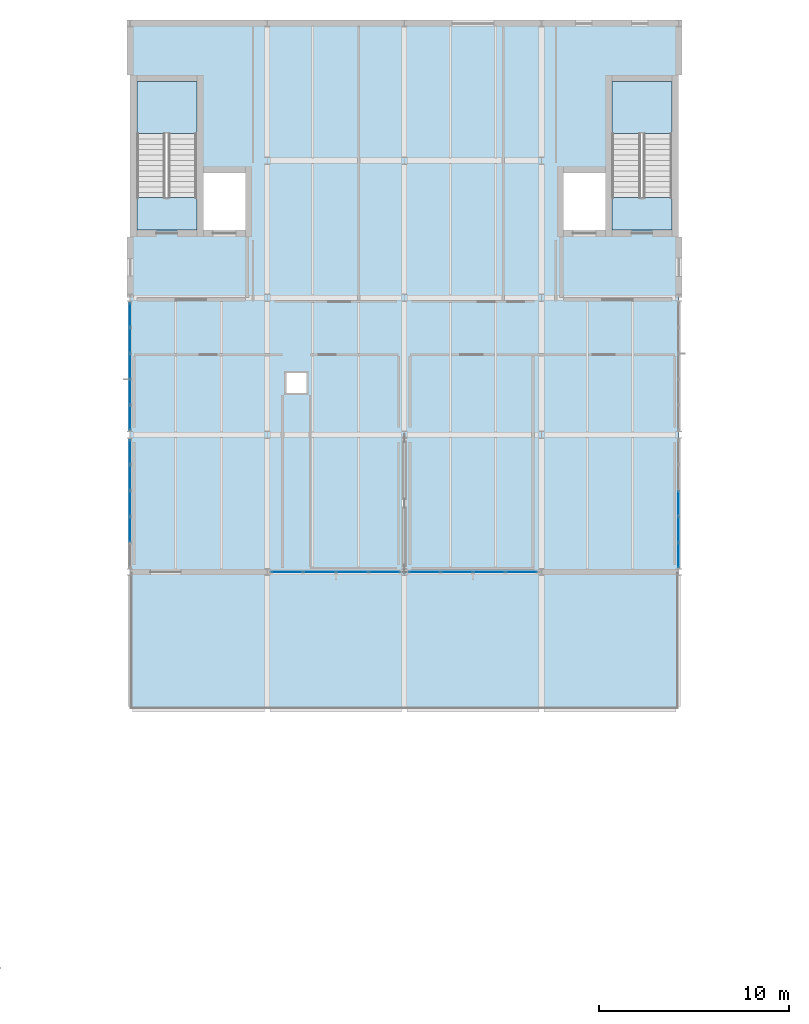
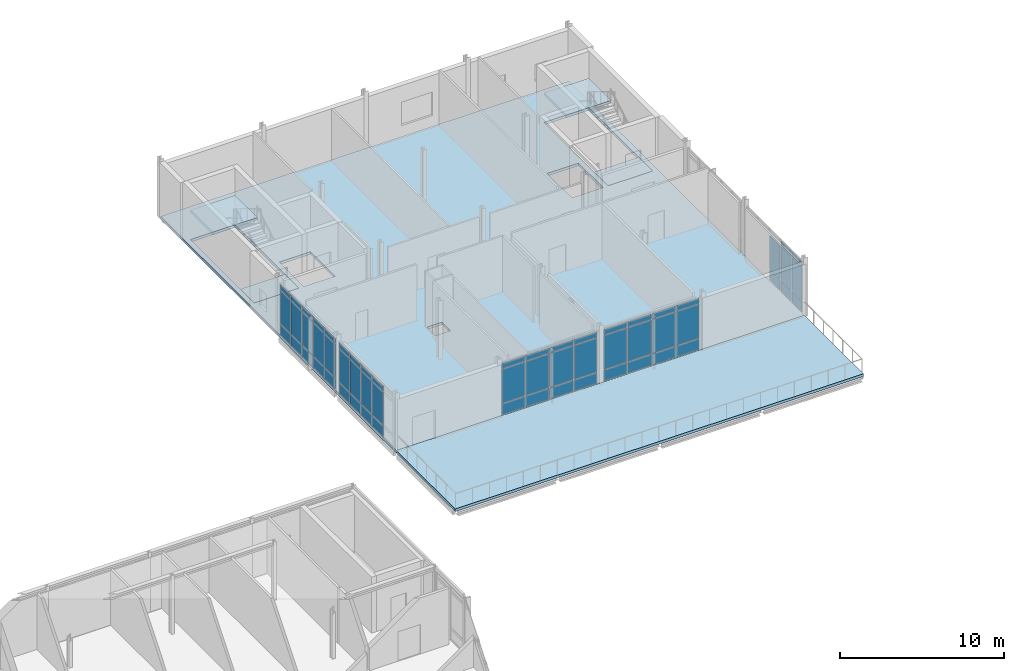
# One storey, part 27 of 53: 59 plates, 6 slabs, 7 elements without a shape of their own.
"""IFC4 building model written with IfcOpenShell, lengths in metres."""

from ifc_helpers import new_model, si_unit, direction, frame, origin, origin_2d, place, context, subcontext, project, spatial, polyline, rectangle, outline, extrude, material, layer, layer_set, type_object, element, aggregate, save


model = new_model("IFC4")

# Units and contexts
model_context = context("Model", 3, precision=1e-05, world=origin(), true_north=direction((0.0, 1.0)))
body_context = subcontext(model_context, "Body", "Model", "MODEL_VIEW")
ifc_project = project(units=[si_unit("LENGTHUNIT", "METRE"), si_unit("AREAUNIT", "SQUARE_METRE"), si_unit("VOLUMEUNIT", "CUBIC_METRE"), si_unit("PLANEANGLEUNIT", "RADIAN"), si_unit("MASSUNIT", "GRAM", prefix="KILO")], contexts=[model_context])

# Site, building, storey
site_placement = place(None, origin())
site = spatial("IfcSite", under=ifc_project, at=site_placement, CompositionType="ELEMENT")
building_placement = place(site_placement, origin())
building = spatial("IfcBuilding", under=site, at=building_placement, Name="Zarrinpeak Specialist Clinic", CompositionType="ELEMENT")
storey_placement = place(building_placement, frame((0.0, 0.0, 14.0)))
storey = spatial("IfcBuildingStorey", under=building, at=storey_placement, Name="L03", CompositionType="ELEMENT", Elevation=14.0)

# Curtain wall, plates
ifc_material_1 = material(Name="Anodised Aluminium Alloy 6063-T6", Category="aluminium")
ifc_layer_1 = layer(ifc_material_1, 0.179931640625)
ifc_layer_set_1 = layer_set([ifc_layer_1], Name="Anodised Aluminium Alloy 6063-T6")
curtain_wall_type_1 = type_object("IfcCurtainWallType", Name="CW-COURT", PredefinedType="NOTDEFINED", material=ifc_layer_set_1)
curtain_wall_1_placement = place(storey_placement, origin())
curtain_wall_1 = element("IfcCurtainWall", 1, at=curtain_wall_1_placement, inside=storey, type_object=curtain_wall_type_1, Name="L03 V6 Unitised Curtain Wall CW-L03-V6-147", PredefinedType="NOTDEFINED")
ifc_material_2 = material(Name="Double Low-E Insulated Glazing", Category="glass")
ifc_layer_2 = layer(ifc_material_2, 0.028076171875)
ifc_layer_set_2 = layer_set([ifc_layer_2], Name="Double Low-E Insulated Glazing")
plate_type = type_object("IfcPlateType", Name="CWP-GLZ28", PredefinedType="CURTAIN_PANEL", material=ifc_layer_set_2)
plate_1_placement = place(storey_placement, frame((44.25, 89.199951171875, 0.074951171875), z_axis=(0.0, 0.0, 1.0), x_axis=(1.0, 0.0, 0.0)))
plate_1 = element("IfcPlate", 2, at=plate_1_placement, type_object=plate_type, Name="CW-01 panel 1.1", PredefinedType="CURTAIN_PANEL", context=body_context, shape_type="SweptSolid", body=[
    extrude(rectangle(XDim=1.60009765625, YDim=0.028076171875, at=origin_2d()), origin(), (0.0, 0.0, 1.0), 0.78759765625),
])
plate_2_placement = place(storey_placement, frame((44.25, 89.199951171875, 0.9375), z_axis=(0.0, 0.0, 1.0), x_axis=(1.0, 0.0, 0.0)))
plate_2 = element("IfcPlate", 3, at=plate_2_placement, type_object=plate_type, Name="CW-01 panel 1.2", PredefinedType="CURTAIN_PANEL", context=body_context, shape_type="SweptSolid", body=[
    extrude(rectangle(XDim=1.60009765625, YDim=0.028076171875, at=origin_2d()), origin(), (0.0, 0.0, 1.0), 2.510009765625),
])
plate_3_placement = place(storey_placement, frame((44.25, 89.199951171875, 3.5224609375), z_axis=(0.0, 0.0, 1.0), x_axis=(1.0, 0.0, 0.0)))
plate_3 = element("IfcPlate", 4, at=plate_3_placement, type_object=plate_type, Name="CW-01 panel 1.3", PredefinedType="CURTAIN_PANEL", context=body_context, shape_type="SweptSolid", body=[
    extrude(rectangle(XDim=1.60009765625, YDim=0.028076171875, at=origin_2d()), origin(), (0.0, 0.0, 1.0), 0.33740234375),
])
plate_4_placement = place(storey_placement, frame((45.94384765625, 89.199951171875, 0.074951171875), z_axis=(0.0, 0.0, 1.0), x_axis=(1.0, 0.0, 0.0)))
plate_4 = element("IfcPlate", 5, at=plate_4_placement, type_object=plate_type, Name="CW-01 panel 2.1", PredefinedType="CURTAIN_PANEL", context=body_context, shape_type="SweptSolid", body=[
    extrude(rectangle(XDim=1.637451171875, YDim=0.028076171875, at=origin_2d()), origin(), (0.0, 0.0, 1.0), 0.78759765625),
])
plate_5_placement = place(storey_placement, frame((45.94384765625, 89.199951171875, 0.9375), z_axis=(0.0, 0.0, 1.0), x_axis=(1.0, 0.0, 0.0)))
plate_5 = element("IfcPlate", 6, at=plate_5_placement, type_object=plate_type, Name="CW-01 panel 2.2", PredefinedType="CURTAIN_PANEL", context=body_context, shape_type="SweptSolid", body=[
    extrude(rectangle(XDim=1.637451171875, YDim=0.028076171875, at=origin_2d()), origin(), (0.0, 0.0, 1.0), 2.510009765625),
])
plate_6_placement = place(storey_placement, frame((45.94384765625, 89.199951171875, 3.5224609375), z_axis=(0.0, 0.0, 1.0), x_axis=(1.0, 0.0, 0.0)))
plate_6 = element("IfcPlate", 7, at=plate_6_placement, type_object=plate_type, Name="CW-01 panel 2.3", PredefinedType="CURTAIN_PANEL", context=body_context, shape_type="SweptSolid", body=[
    extrude(rectangle(XDim=1.637451171875, YDim=0.028076171875, at=origin_2d()), origin(), (0.0, 0.0, 1.0), 0.33740234375),
])
plate_7_placement = place(storey_placement, frame((47.65625, 89.199951171875, 0.074951171875), z_axis=(0.0, 0.0, 1.0), x_axis=(1.0, 0.0, 0.0)))
plate_7 = element("IfcPlate", 8, at=plate_7_placement, type_object=plate_type, Name="CW-01 panel 3.1", PredefinedType="CURTAIN_PANEL", context=body_context, shape_type="SweptSolid", body=[
    extrude(rectangle(XDim=1.637451171875, YDim=0.028076171875, at=origin_2d()), origin(), (0.0, 0.0, 1.0), 0.78759765625),
])
plate_8_placement = place(storey_placement, frame((47.65625, 89.199951171875, 0.9375), z_axis=(0.0, 0.0, 1.0), x_axis=(1.0, 0.0, 0.0)))
plate_8 = element("IfcPlate", 9, at=plate_8_placement, type_object=plate_type, Name="CW-01 panel 3.2", PredefinedType="CURTAIN_PANEL", context=body_context, shape_type="SweptSolid", body=[
    extrude(rectangle(XDim=1.637451171875, YDim=0.028076171875, at=origin_2d()), origin(), (0.0, 0.0, 1.0), 2.510009765625),
])
plate_9_placement = place(storey_placement, frame((47.65625, 89.199951171875, 3.5224609375), z_axis=(0.0, 0.0, 1.0), x_axis=(1.0, 0.0, 0.0)))
plate_9 = element("IfcPlate", 10, at=plate_9_placement, type_object=plate_type, Name="CW-01 panel 3.3", PredefinedType="CURTAIN_PANEL", context=body_context, shape_type="SweptSolid", body=[
    extrude(rectangle(XDim=1.637451171875, YDim=0.028076171875, at=origin_2d()), origin(), (0.0, 0.0, 1.0), 0.33740234375),
])
plate_10_placement = place(storey_placement, frame((49.35009765625, 89.199951171875, 0.074951171875), z_axis=(0.0, 0.0, 1.0), x_axis=(1.0, 0.0, 0.0)))
plate_10 = element("IfcPlate", 11, at=plate_10_placement, type_object=plate_type, Name="CW-01 panel 4.1", PredefinedType="CURTAIN_PANEL", context=body_context, shape_type="SweptSolid", body=[
    extrude(rectangle(XDim=1.60009765625, YDim=0.028076171875, at=origin_2d()), origin(), (0.0, 0.0, 1.0), 0.78759765625),
])
plate_11_placement = place(storey_placement, frame((49.35009765625, 89.199951171875, 0.9375), z_axis=(0.0, 0.0, 1.0), x_axis=(1.0, 0.0, 0.0)))
plate_11 = element("IfcPlate", 12, at=plate_11_placement, type_object=plate_type, Name="CW-01 panel 4.2", PredefinedType="CURTAIN_PANEL", context=body_context, shape_type="SweptSolid", body=[
    extrude(rectangle(XDim=1.60009765625, YDim=0.028076171875, at=origin_2d()), origin(), (0.0, 0.0, 1.0), 2.510009765625),
])
plate_12_placement = place(storey_placement, frame((49.35009765625, 89.199951171875, 3.5224609375), z_axis=(0.0, 0.0, 1.0), x_axis=(1.0, 0.0, 0.0)))
plate_12 = element("IfcPlate", 13, at=plate_12_placement, type_object=plate_type, Name="CW-01 panel 4.3", PredefinedType="CURTAIN_PANEL", context=body_context, shape_type="SweptSolid", body=[
    extrude(rectangle(XDim=1.60009765625, YDim=0.028076171875, at=origin_2d()), origin(), (0.0, 0.0, 1.0), 0.33740234375),
])
aggregate(curtain_wall_1, [plate_1, plate_2, plate_3, plate_4, plate_5, plate_6, plate_7, plate_8, plate_9, plate_10, plate_11, plate_12])

curtain_wall_2_placement = place(storey_placement, origin())
curtain_wall_2 = element("IfcCurtainWall", 14, at=curtain_wall_2_placement, inside=storey, type_object=curtain_wall_type_1, Name="L03 V6 Unitised Curtain Wall CW-L03-V6-148", PredefinedType="NOTDEFINED")
plate_13_placement = place(storey_placement, frame((51.449951171875, 89.199951171875, 0.074951171875), z_axis=(0.0, 0.0, 1.0), x_axis=(1.0, 0.0, 0.0)))
plate_13 = element("IfcPlate", 15, at=plate_13_placement, type_object=plate_type, Name="CW-01 panel 1.1", PredefinedType="CURTAIN_PANEL", context=body_context, shape_type="SweptSolid", body=[
    extrude(rectangle(XDim=1.60009765625, YDim=0.028076171875, at=origin_2d()), origin(), (0.0, 0.0, 1.0), 0.78759765625),
])
plate_14_placement = place(storey_placement, frame((51.449951171875, 89.199951171875, 0.9375), z_axis=(0.0, 0.0, 1.0), x_axis=(1.0, 0.0, 0.0)))
plate_14 = element("IfcPlate", 16, at=plate_14_placement, type_object=plate_type, Name="CW-01 panel 1.2", PredefinedType="CURTAIN_PANEL", context=body_context, shape_type="SweptSolid", body=[
    extrude(rectangle(XDim=1.60009765625, YDim=0.028076171875, at=origin_2d()), origin(), (0.0, 0.0, 1.0), 2.510009765625),
])
plate_15_placement = place(storey_placement, frame((51.449951171875, 89.199951171875, 3.5224609375), z_axis=(0.0, 0.0, 1.0), x_axis=(1.0, 0.0, 0.0)))
plate_15 = element("IfcPlate", 17, at=plate_15_placement, type_object=plate_type, Name="CW-01 panel 1.3", PredefinedType="CURTAIN_PANEL", context=body_context, shape_type="SweptSolid", body=[
    extrude(rectangle(XDim=1.60009765625, YDim=0.028076171875, at=origin_2d()), origin(), (0.0, 0.0, 1.0), 0.33740234375),
])
plate_16_placement = place(storey_placement, frame((53.143798828125, 89.199951171875, 0.074951171875), z_axis=(0.0, 0.0, 1.0), x_axis=(1.0, 0.0, 0.0)))
plate_16 = element("IfcPlate", 18, at=plate_16_placement, type_object=plate_type, Name="CW-01 panel 2.1", PredefinedType="CURTAIN_PANEL", context=body_context, shape_type="SweptSolid", body=[
    extrude(rectangle(XDim=1.637451171875, YDim=0.028076171875, at=origin_2d()), origin(), (0.0, 0.0, 1.0), 0.78759765625),
])
plate_17_placement = place(storey_placement, frame((53.143798828125, 89.199951171875, 0.9375), z_axis=(0.0, 0.0, 1.0), x_axis=(1.0, 0.0, 0.0)))
plate_17 = element("IfcPlate", 19, at=plate_17_placement, type_object=plate_type, Name="CW-01 panel 2.2", PredefinedType="CURTAIN_PANEL", context=body_context, shape_type="SweptSolid", body=[
    extrude(rectangle(XDim=1.637451171875, YDim=0.028076171875, at=origin_2d()), origin(), (0.0, 0.0, 1.0), 2.510009765625),
])
plate_18_placement = place(storey_placement, frame((53.143798828125, 89.199951171875, 3.5224609375), z_axis=(0.0, 0.0, 1.0), x_axis=(1.0, 0.0, 0.0)))
plate_18 = element("IfcPlate", 20, at=plate_18_placement, type_object=plate_type, Name="CW-01 panel 2.3", PredefinedType="CURTAIN_PANEL", context=body_context, shape_type="SweptSolid", body=[
    extrude(rectangle(XDim=1.637451171875, YDim=0.028076171875, at=origin_2d()), origin(), (0.0, 0.0, 1.0), 0.33740234375),
])
plate_19_placement = place(storey_placement, frame((54.856201171875, 89.199951171875, 0.074951171875), z_axis=(0.0, 0.0, 1.0), x_axis=(1.0, 0.0, 0.0)))
plate_19 = element("IfcPlate", 21, at=plate_19_placement, type_object=plate_type, Name="CW-01 panel 3.1", PredefinedType="CURTAIN_PANEL", context=body_context, shape_type="SweptSolid", body=[
    extrude(rectangle(XDim=1.637451171875, YDim=0.028076171875, at=origin_2d()), origin(), (0.0, 0.0, 1.0), 0.78759765625),
])
plate_20_placement = place(storey_placement, frame((54.856201171875, 89.199951171875, 0.9375), z_axis=(0.0, 0.0, 1.0), x_axis=(1.0, 0.0, 0.0)))
plate_20 = element("IfcPlate", 22, at=plate_20_placement, type_object=plate_type, Name="CW-01 panel 3.2", PredefinedType="CURTAIN_PANEL", context=body_context, shape_type="SweptSolid", body=[
    extrude(rectangle(XDim=1.637451171875, YDim=0.028076171875, at=origin_2d()), origin(), (0.0, 0.0, 1.0), 2.510009765625),
])
plate_21_placement = place(storey_placement, frame((54.856201171875, 89.199951171875, 3.5224609375), z_axis=(0.0, 0.0, 1.0), x_axis=(1.0, 0.0, 0.0)))
plate_21 = element("IfcPlate", 23, at=plate_21_placement, type_object=plate_type, Name="CW-01 panel 3.3", PredefinedType="CURTAIN_PANEL", context=body_context, shape_type="SweptSolid", body=[
    extrude(rectangle(XDim=1.637451171875, YDim=0.028076171875, at=origin_2d()), origin(), (0.0, 0.0, 1.0), 0.33740234375),
])
plate_22_placement = place(storey_placement, frame((56.550048828125, 89.199951171875, 0.074951171875), z_axis=(0.0, 0.0, 1.0), x_axis=(1.0, 0.0, 0.0)))
plate_22 = element("IfcPlate", 24, at=plate_22_placement, type_object=plate_type, Name="CW-01 panel 4.1", PredefinedType="CURTAIN_PANEL", context=body_context, shape_type="SweptSolid", body=[
    extrude(rectangle(XDim=1.60009765625, YDim=0.028076171875, at=origin_2d()), origin(), (0.0, 0.0, 1.0), 0.78759765625),
])
plate_23_placement = place(storey_placement, frame((56.550048828125, 89.199951171875, 0.9375), z_axis=(0.0, 0.0, 1.0), x_axis=(1.0, 0.0, 0.0)))
plate_23 = element("IfcPlate", 25, at=plate_23_placement, type_object=plate_type, Name="CW-01 panel 4.2", PredefinedType="CURTAIN_PANEL", context=body_context, shape_type="SweptSolid", body=[
    extrude(rectangle(XDim=1.60009765625, YDim=0.028076171875, at=origin_2d()), origin(), (0.0, 0.0, 1.0), 2.510009765625),
])
plate_24_placement = place(storey_placement, frame((56.550048828125, 89.199951171875, 3.5224609375), z_axis=(0.0, 0.0, 1.0), x_axis=(1.0, 0.0, 0.0)))
plate_24 = element("IfcPlate", 26, at=plate_24_placement, type_object=plate_type, Name="CW-01 panel 4.3", PredefinedType="CURTAIN_PANEL", context=body_context, shape_type="SweptSolid", body=[
    extrude(rectangle(XDim=1.60009765625, YDim=0.028076171875, at=origin_2d()), origin(), (0.0, 0.0, 1.0), 0.33740234375),
])
aggregate(curtain_wall_2, [plate_13, plate_14, plate_15, plate_16, plate_17, plate_18, plate_19, plate_20, plate_21, plate_22, plate_23, plate_24])

ifc_layer_3 = layer(ifc_material_1, 0.1650390625)
ifc_layer_set_3 = layer_set([ifc_layer_3], Name="Anodised Aluminium Alloy 6063-T6")
curtain_wall_type_2 = type_object("IfcCurtainWallType", Name="CW-CLINIC", PredefinedType="NOTDEFINED", material=ifc_layer_set_3)
curtain_wall_3_placement = place(storey_placement, origin())
curtain_wall_3 = element("IfcCurtainWall", 27, at=curtain_wall_3_placement, inside=storey, type_object=curtain_wall_type_2, Name="L03 V6 Unitised Curtain Wall CW-L03-V6-149", PredefinedType="NOTDEFINED")
plate_25_placement = place(storey_placement, frame((36.0, 95.495361328125, 0.074951171875), z_axis=(0.0, 0.0, 1.0), x_axis=(0.0, -1.0, 0.0)))
plate_25 = element("IfcPlate", 28, at=plate_25_placement, type_object=plate_type, Name="CW-03 panel 1.1", PredefinedType="CURTAIN_PANEL", context=body_context, shape_type="SweptSolid", body=[
    extrude(rectangle(XDim=1.24951171875, YDim=0.028076171875, at=origin_2d()), origin(), (0.0, 0.0, 1.0), 0.78759765625),
])
plate_26_placement = place(storey_placement, frame((36.0, 95.495361328125, 0.9375), z_axis=(0.0, 0.0, 1.0), x_axis=(0.0, -1.0, 0.0)))
plate_26 = element("IfcPlate", 29, at=plate_26_placement, type_object=plate_type, Name="CW-03 panel 1.2", PredefinedType="CURTAIN_PANEL", context=body_context, shape_type="SweptSolid", body=[
    extrude(rectangle(XDim=1.24951171875, YDim=0.028076171875, at=origin_2d()), origin(), (0.0, 0.0, 1.0), 2.4599609375),
])
plate_27_placement = place(storey_placement, frame((36.0, 95.495361328125, 3.47265625), z_axis=(0.0, 0.0, 1.0), x_axis=(0.0, -1.0, 0.0)))
plate_27 = element("IfcPlate", 30, at=plate_27_placement, type_object=plate_type, Name="CW-03 panel 1.3", PredefinedType="CURTAIN_PANEL", context=body_context, shape_type="SweptSolid", body=[
    extrude(rectangle(XDim=1.24951171875, YDim=0.028076171875, at=origin_2d()), origin(), (0.0, 0.0, 1.0), 0.33740234375),
])
plate_28_placement = place(storey_placement, frame((36.0, 94.152099609375, 0.074951171875), z_axis=(0.0, 0.0, 1.0), x_axis=(0.0, -1.0, 0.0)))
plate_28 = element("IfcPlate", 31, at=plate_28_placement, type_object=plate_type, Name="CW-03 panel 2.1", PredefinedType="CURTAIN_PANEL", context=body_context, shape_type="SweptSolid", body=[
    extrude(rectangle(XDim=1.287109375, YDim=0.028076171875, at=origin_2d()), origin(), (0.0, 0.0, 1.0), 0.78759765625),
])
plate_29_placement = place(storey_placement, frame((36.0, 94.152099609375, 0.9375), z_axis=(0.0, 0.0, 1.0), x_axis=(0.0, -1.0, 0.0)))
plate_29 = element("IfcPlate", 32, at=plate_29_placement, type_object=plate_type, Name="CW-03 panel 2.2", PredefinedType="CURTAIN_PANEL", context=body_context, shape_type="SweptSolid", body=[
    extrude(rectangle(XDim=1.287109375, YDim=0.028076171875, at=origin_2d()), origin(), (0.0, 0.0, 1.0), 2.4599609375),
])
plate_30_placement = place(storey_placement, frame((36.0, 94.152099609375, 3.47265625), z_axis=(0.0, 0.0, 1.0), x_axis=(0.0, -1.0, 0.0)))
plate_30 = element("IfcPlate", 33, at=plate_30_placement, type_object=plate_type, Name="CW-03 panel 2.3", PredefinedType="CURTAIN_PANEL", context=body_context, shape_type="SweptSolid", body=[
    extrude(rectangle(XDim=1.287109375, YDim=0.028076171875, at=origin_2d()), origin(), (0.0, 0.0, 1.0), 0.33740234375),
])
plate_31_placement = place(storey_placement, frame((36.0, 92.7900390625, 0.074951171875), z_axis=(0.0, 0.0, 1.0), x_axis=(0.0, -1.0, 0.0)))
plate_31 = element("IfcPlate", 34, at=plate_31_placement, type_object=plate_type, Name="CW-03 panel 3.1", PredefinedType="CURTAIN_PANEL", context=body_context, shape_type="SweptSolid", body=[
    extrude(rectangle(XDim=1.287109375, YDim=0.028076171875, at=origin_2d()), origin(), (0.0, 0.0, 1.0), 0.78759765625),
])
plate_32_placement = place(storey_placement, frame((36.0, 92.7900390625, 0.9375), z_axis=(0.0, 0.0, 1.0), x_axis=(0.0, -1.0, 0.0)))
plate_32 = element("IfcPlate", 35, at=plate_32_placement, type_object=plate_type, Name="CW-03 panel 3.2", PredefinedType="CURTAIN_PANEL", context=body_context, shape_type="SweptSolid", body=[
    extrude(rectangle(XDim=1.287109375, YDim=0.028076171875, at=origin_2d()), origin(), (0.0, 0.0, 1.0), 2.4599609375),
])
plate_33_placement = place(storey_placement, frame((36.0, 92.7900390625, 3.47265625), z_axis=(0.0, 0.0, 1.0), x_axis=(0.0, -1.0, 0.0)))
plate_33 = element("IfcPlate", 36, at=plate_33_placement, type_object=plate_type, Name="CW-03 panel 3.3", PredefinedType="CURTAIN_PANEL", context=body_context, shape_type="SweptSolid", body=[
    extrude(rectangle(XDim=1.287109375, YDim=0.028076171875, at=origin_2d()), origin(), (0.0, 0.0, 1.0), 0.33740234375),
])
plate_34_placement = place(storey_placement, frame((36.0, 91.427978515625, 0.074951171875), z_axis=(0.0, 0.0, 1.0), x_axis=(0.0, -1.0, 0.0)))
plate_34 = element("IfcPlate", 37, at=plate_34_placement, type_object=plate_type, Name="CW-03 panel 4.1", PredefinedType="CURTAIN_PANEL", context=body_context, shape_type="SweptSolid", body=[
    extrude(rectangle(XDim=1.287109375, YDim=0.028076171875, at=origin_2d()), origin(), (0.0, 0.0, 1.0), 0.78759765625),
])
plate_35_placement = place(storey_placement, frame((36.0, 91.427978515625, 0.9375), z_axis=(0.0, 0.0, 1.0), x_axis=(0.0, -1.0, 0.0)))
plate_35 = element("IfcPlate", 38, at=plate_35_placement, type_object=plate_type, Name="CW-03 panel 4.2", PredefinedType="CURTAIN_PANEL", context=body_context, shape_type="SweptSolid", body=[
    extrude(rectangle(XDim=1.287109375, YDim=0.028076171875, at=origin_2d()), origin(), (0.0, 0.0, 1.0), 2.4599609375),
])
plate_36_placement = place(storey_placement, frame((36.0, 91.427978515625, 3.47265625), z_axis=(0.0, 0.0, 1.0), x_axis=(0.0, -1.0, 0.0)))
plate_36 = element("IfcPlate", 39, at=plate_36_placement, type_object=plate_type, Name="CW-03 panel 4.3", PredefinedType="CURTAIN_PANEL", context=body_context, shape_type="SweptSolid", body=[
    extrude(rectangle(XDim=1.287109375, YDim=0.028076171875, at=origin_2d()), origin(), (0.0, 0.0, 1.0), 0.33740234375),
])
aggregate(curtain_wall_3, [plate_25, plate_26, plate_27, plate_28, plate_29, plate_30, plate_31, plate_32, plate_33, plate_34, plate_35, plate_36])

curtain_wall_4_placement = place(storey_placement, origin())
curtain_wall_4 = element("IfcCurtainWall", 40, at=curtain_wall_4_placement, inside=storey, type_object=curtain_wall_type_2, Name="L03 V6 Unitised Curtain Wall CW-L03-V6-150", PredefinedType="NOTDEFINED")
plate_37_placement = place(storey_placement, frame((36.0, 102.697265625, 0.074951171875), z_axis=(0.0, 0.0, 1.0), x_axis=(0.0, -1.0, 0.0)))
plate_37 = element("IfcPlate", 41, at=plate_37_placement, type_object=plate_type, Name="CW-03 panel 1.1", PredefinedType="CURTAIN_PANEL", context=body_context, shape_type="SweptSolid", body=[
    extrude(rectangle(XDim=1.24560546875, YDim=0.028076171875, at=origin_2d()), origin(), (0.0, 0.0, 1.0), 0.78759765625),
])
plate_38_placement = place(storey_placement, frame((36.0, 102.697265625, 0.9375), z_axis=(0.0, 0.0, 1.0), x_axis=(0.0, -1.0, 0.0)))
plate_38 = element("IfcPlate", 42, at=plate_38_placement, type_object=plate_type, Name="CW-03 panel 1.2", PredefinedType="CURTAIN_PANEL", context=body_context, shape_type="SweptSolid", body=[
    extrude(rectangle(XDim=1.24560546875, YDim=0.028076171875, at=origin_2d()), origin(), (0.0, 0.0, 1.0), 2.4599609375),
])
plate_39_placement = place(storey_placement, frame((36.0, 102.697265625, 3.47265625), z_axis=(0.0, 0.0, 1.0), x_axis=(0.0, -1.0, 0.0)))
plate_39 = element("IfcPlate", 43, at=plate_39_placement, type_object=plate_type, Name="CW-03 panel 1.3", PredefinedType="CURTAIN_PANEL", context=body_context, shape_type="SweptSolid", body=[
    extrude(rectangle(XDim=1.24560546875, YDim=0.028076171875, at=origin_2d()), origin(), (0.0, 0.0, 1.0), 0.33740234375),
])
plate_40_placement = place(storey_placement, frame((36.0, 101.35791015625, 0.074951171875), z_axis=(0.0, 0.0, 1.0), x_axis=(0.0, -1.0, 0.0)))
plate_40 = element("IfcPlate", 44, at=plate_40_placement, type_object=plate_type, Name="CW-03 panel 2.1", PredefinedType="CURTAIN_PANEL", context=body_context, shape_type="SweptSolid", body=[
    extrude(rectangle(XDim=1.282958984375, YDim=0.028076171875, at=origin_2d()), origin(), (0.0, 0.0, 1.0), 0.78759765625),
])
plate_41_placement = place(storey_placement, frame((36.0, 101.35791015625, 0.9375), z_axis=(0.0, 0.0, 1.0), x_axis=(0.0, -1.0, 0.0)))
plate_41 = element("IfcPlate", 45, at=plate_41_placement, type_object=plate_type, Name="CW-03 panel 2.2", PredefinedType="CURTAIN_PANEL", context=body_context, shape_type="SweptSolid", body=[
    extrude(rectangle(XDim=1.282958984375, YDim=0.028076171875, at=origin_2d()), origin(), (0.0, 0.0, 1.0), 2.4599609375),
])
plate_42_placement = place(storey_placement, frame((36.0, 101.35791015625, 3.47265625), z_axis=(0.0, 0.0, 1.0), x_axis=(0.0, -1.0, 0.0)))
plate_42 = element("IfcPlate", 46, at=plate_42_placement, type_object=plate_type, Name="CW-03 panel 2.3", PredefinedType="CURTAIN_PANEL", context=body_context, shape_type="SweptSolid", body=[
    extrude(rectangle(XDim=1.282958984375, YDim=0.028076171875, at=origin_2d()), origin(), (0.0, 0.0, 1.0), 0.33740234375),
])
plate_43_placement = place(storey_placement, frame((36.0, 100.0, 0.074951171875), z_axis=(0.0, 0.0, 1.0), x_axis=(0.0, -1.0, 0.0)))
plate_43 = element("IfcPlate", 47, at=plate_43_placement, type_object=plate_type, Name="CW-03 panel 3.1", PredefinedType="CURTAIN_PANEL", context=body_context, shape_type="SweptSolid", body=[
    extrude(rectangle(XDim=1.282958984375, YDim=0.028076171875, at=origin_2d()), origin(), (0.0, 0.0, 1.0), 0.78759765625),
])
plate_44_placement = place(storey_placement, frame((36.0, 100.0, 0.9375), z_axis=(0.0, 0.0, 1.0), x_axis=(0.0, -1.0, 0.0)))
plate_44 = element("IfcPlate", 48, at=plate_44_placement, type_object=plate_type, Name="CW-03 panel 3.2", PredefinedType="CURTAIN_PANEL", context=body_context, shape_type="SweptSolid", body=[
    extrude(rectangle(XDim=1.282958984375, YDim=0.028076171875, at=origin_2d()), origin(), (0.0, 0.0, 1.0), 2.4599609375),
])
plate_45_placement = place(storey_placement, frame((36.0, 100.0, 3.47265625), z_axis=(0.0, 0.0, 1.0), x_axis=(0.0, -1.0, 0.0)))
plate_45 = element("IfcPlate", 49, at=plate_45_placement, type_object=plate_type, Name="CW-03 panel 3.3", PredefinedType="CURTAIN_PANEL", context=body_context, shape_type="SweptSolid", body=[
    extrude(rectangle(XDim=1.282958984375, YDim=0.028076171875, at=origin_2d()), origin(), (0.0, 0.0, 1.0), 0.33740234375),
])
plate_46_placement = place(storey_placement, frame((36.0, 98.64208984375, 0.074951171875), z_axis=(0.0, 0.0, 1.0), x_axis=(0.0, -1.0, 0.0)))
plate_46 = element("IfcPlate", 50, at=plate_46_placement, type_object=plate_type, Name="CW-03 panel 4.1", PredefinedType="CURTAIN_PANEL", context=body_context, shape_type="SweptSolid", body=[
    extrude(rectangle(XDim=1.282958984375, YDim=0.028076171875, at=origin_2d()), origin(), (0.0, 0.0, 1.0), 0.78759765625),
])
plate_47_placement = place(storey_placement, frame((36.0, 98.64208984375, 0.9375), z_axis=(0.0, 0.0, 1.0), x_axis=(0.0, -1.0, 0.0)))
plate_47 = element("IfcPlate", 51, at=plate_47_placement, type_object=plate_type, Name="CW-03 panel 4.2", PredefinedType="CURTAIN_PANEL", context=body_context, shape_type="SweptSolid", body=[
    extrude(rectangle(XDim=1.282958984375, YDim=0.028076171875, at=origin_2d()), origin(), (0.0, 0.0, 1.0), 2.4599609375),
])
plate_48_placement = place(storey_placement, frame((36.0, 98.64208984375, 3.47265625), z_axis=(0.0, 0.0, 1.0), x_axis=(0.0, -1.0, 0.0)))
plate_48 = element("IfcPlate", 52, at=plate_48_placement, type_object=plate_type, Name="CW-03 panel 4.3", PredefinedType="CURTAIN_PANEL", context=body_context, shape_type="SweptSolid", body=[
    extrude(rectangle(XDim=1.282958984375, YDim=0.028076171875, at=origin_2d()), origin(), (0.0, 0.0, 1.0), 0.33740234375),
])
plate_49_placement = place(storey_placement, frame((36.0, 97.302734375, 0.074951171875), z_axis=(0.0, 0.0, 1.0), x_axis=(0.0, -1.0, 0.0)))
plate_49 = element("IfcPlate", 53, at=plate_49_placement, type_object=plate_type, Name="CW-03 panel 5.1", PredefinedType="CURTAIN_PANEL", context=body_context, shape_type="SweptSolid", body=[
    extrude(rectangle(XDim=1.24560546875, YDim=0.028076171875, at=origin_2d()), origin(), (0.0, 0.0, 1.0), 0.78759765625),
])
plate_50_placement = place(storey_placement, frame((36.0, 97.302734375, 0.9375), z_axis=(0.0, 0.0, 1.0), x_axis=(0.0, -1.0, 0.0)))
plate_50 = element("IfcPlate", 54, at=plate_50_placement, type_object=plate_type, Name="CW-03 panel 5.2", PredefinedType="CURTAIN_PANEL", context=body_context, shape_type="SweptSolid", body=[
    extrude(rectangle(XDim=1.24560546875, YDim=0.028076171875, at=origin_2d()), origin(), (0.0, 0.0, 1.0), 2.4599609375),
])
plate_51_placement = place(storey_placement, frame((36.0, 97.302734375, 3.47265625), z_axis=(0.0, 0.0, 1.0), x_axis=(0.0, -1.0, 0.0)))
plate_51 = element("IfcPlate", 55, at=plate_51_placement, type_object=plate_type, Name="CW-03 panel 5.3", PredefinedType="CURTAIN_PANEL", context=body_context, shape_type="SweptSolid", body=[
    extrude(rectangle(XDim=1.24560546875, YDim=0.028076171875, at=origin_2d()), origin(), (0.0, 0.0, 1.0), 0.33740234375),
])
aggregate(curtain_wall_4, [plate_37, plate_38, plate_39, plate_40, plate_41, plate_42, plate_43, plate_44, plate_45, plate_46, plate_47, plate_48, plate_49, plate_50, plate_51])

curtain_wall_5_placement = place(storey_placement, origin())
curtain_wall_5 = element("IfcCurtainWall", 56, at=curtain_wall_5_placement, inside=storey, type_object=curtain_wall_type_2, Name="L03 V6 Unitised Curtain Wall CW-L03-V6-151", PredefinedType="NOTDEFINED")
plate_52_placement = place(storey_placement, frame((64.800048828125, 90.084716796875, 0.074951171875), z_axis=(0.0, 0.0, 1.0), x_axis=(0.0, 1.0, 0.0)))
plate_52 = element("IfcPlate", 57, at=plate_52_placement, type_object=plate_type, Name="CW-03 panel 1.1", PredefinedType="CURTAIN_PANEL", context=body_context, shape_type="SweptSolid", body=[
    extrude(rectangle(XDim=1.24951171875, YDim=0.028076171875, at=origin_2d()), origin(), (0.0, 0.0, 1.0), 0.78759765625),
])
plate_53_placement = place(storey_placement, frame((64.800048828125, 90.084716796875, 0.9375), z_axis=(0.0, 0.0, 1.0), x_axis=(0.0, 1.0, 0.0)))
plate_53 = element("IfcPlate", 58, at=plate_53_placement, type_object=plate_type, Name="CW-03 panel 1.2", PredefinedType="CURTAIN_PANEL", context=body_context, shape_type="SweptSolid", body=[
    extrude(rectangle(XDim=1.24951171875, YDim=0.028076171875, at=origin_2d()), origin(), (0.0, 0.0, 1.0), 2.4599609375),
])
plate_54_placement = place(storey_placement, frame((64.800048828125, 90.084716796875, 3.47265625), z_axis=(0.0, 0.0, 1.0), x_axis=(0.0, 1.0, 0.0)))
plate_54 = element("IfcPlate", 59, at=plate_54_placement, type_object=plate_type, Name="CW-03 panel 1.3", PredefinedType="CURTAIN_PANEL", context=body_context, shape_type="SweptSolid", body=[
    extrude(rectangle(XDim=1.24951171875, YDim=0.028076171875, at=origin_2d()), origin(), (0.0, 0.0, 1.0), 0.33740234375),
])
plate_55_placement = place(storey_placement, frame((64.800048828125, 91.427978515625, 0.074951171875), z_axis=(0.0, 0.0, 1.0), x_axis=(0.0, 1.0, 0.0)))
plate_55 = element("IfcPlate", 60, at=plate_55_placement, type_object=plate_type, Name="CW-03 panel 2.1", PredefinedType="CURTAIN_PANEL", context=body_context, shape_type="SweptSolid", body=[
    extrude(rectangle(XDim=1.287109375, YDim=0.028076171875, at=origin_2d()), origin(), (0.0, 0.0, 1.0), 0.78759765625),
])
plate_56_placement = place(storey_placement, frame((64.800048828125, 91.427978515625, 0.9375), z_axis=(0.0, 0.0, 1.0), x_axis=(0.0, 1.0, 0.0)))
plate_56 = element("IfcPlate", 61, at=plate_56_placement, type_object=plate_type, Name="CW-03 panel 2.2", PredefinedType="CURTAIN_PANEL", context=body_context, shape_type="SweptSolid", body=[
    extrude(rectangle(XDim=1.287109375, YDim=0.028076171875, at=origin_2d()), origin(), (0.0, 0.0, 1.0), 2.4599609375),
])
plate_57_placement = place(storey_placement, frame((64.800048828125, 91.427978515625, 3.47265625), z_axis=(0.0, 0.0, 1.0), x_axis=(0.0, 1.0, 0.0)))
plate_57 = element("IfcPlate", 62, at=plate_57_placement, type_object=plate_type, Name="CW-03 panel 2.3", PredefinedType="CURTAIN_PANEL", context=body_context, shape_type="SweptSolid", body=[
    extrude(rectangle(XDim=1.287109375, YDim=0.028076171875, at=origin_2d()), origin(), (0.0, 0.0, 1.0), 0.33740234375),
])
plate_58_placement = place(storey_placement, frame((64.800048828125, 92.7900390625, 0.074951171875), z_axis=(0.0, 0.0, 1.0), x_axis=(0.0, 1.0, 0.0)))
plate_58 = element("IfcPlate", 63, at=plate_58_placement, type_object=plate_type, Name="CW-03 panel 3.1", PredefinedType="CURTAIN_PANEL", context=body_context, shape_type="SweptSolid", body=[
    extrude(rectangle(XDim=1.287109375, YDim=0.028076171875, at=origin_2d()), origin(), (0.0, 0.0, 1.0), 0.78759765625),
])
plate_59_placement = place(storey_placement, frame((64.800048828125, 92.7900390625, 0.9375), z_axis=(0.0, 0.0, 1.0), x_axis=(0.0, 1.0, 0.0)))
plate_59 = element("IfcPlate", 64, at=plate_59_placement, type_object=plate_type, Name="CW-03 panel 3.2", PredefinedType="CURTAIN_PANEL", context=body_context, shape_type="SweptSolid", body=[
    extrude(rectangle(XDim=1.287109375, YDim=0.028076171875, at=origin_2d()), origin(), (0.0, 0.0, 1.0), 2.4599609375),
])
aggregate(curtain_wall_5, [plate_52, plate_53, plate_54, plate_55, plate_56, plate_57, plate_58, plate_59])

# Slabs
ifc_material_3 = material(Name="Concrete C35/45", Category="concrete")
ifc_layer_4 = layer(ifc_material_3, 0.199951171875)
ifc_layer_set_4 = layer_set([ifc_layer_4], Name="Concrete C35/45")
slab_type_1 = type_object("IfcSlabType", Name="SL-FLR200", PredefinedType="FLOOR", material=ifc_layer_set_4)
slab_1_placement = place(storey_placement, frame((0.0, 0.0, -0.199951171875)))
element("IfcSlab", 65, at=slab_1_placement, inside=storey, type_object=slab_type_1, Name="L03 Suspended Clinical Floor Slab V6", PredefinedType="FLOOR", context=body_context, shape_type="SweptSolid", body=[
    extrude(outline(polyline([(36.0, 89.199951171875), (64.800048828125, 89.199951171875), (64.800048828125, 118.0), (36.0, 118.0), (36.0, 89.199951171875)]), holes=[polyline([(36.35009765625, 107.14990234375), (39.5, 107.14990234375), (39.5, 114.949951171875), (36.35009765625, 114.949951171875), (36.35009765625, 107.14990234375)]), polyline([(39.85009765625, 107.14990234375), (42.050048828125, 107.14990234375), (42.050048828125, 110.14990234375), (39.85009765625, 110.14990234375), (39.85009765625, 107.14990234375)]), polyline([(61.300048828125, 107.14990234375), (64.449951171875, 107.14990234375), (64.449951171875, 114.949951171875), (61.300048828125, 114.949951171875), (61.300048828125, 107.14990234375)]), polyline([(58.75, 107.14990234375), (60.949951171875, 107.14990234375), (60.949951171875, 110.14990234375), (58.75, 110.14990234375), (58.75, 107.14990234375)]), polyline([(44.199951171875, 98.60009765625), (45.25, 98.60009765625), (45.25, 99.64990234375), (44.199951171875, 99.64990234375), (44.199951171875, 98.60009765625)])]), origin(), (0.0, 0.0, 1.0), 0.199951171875),
])
slab_2_placement = place(storey_placement, frame((0.0, 0.0, -0.199951171875)))
element("IfcSlab", 66, at=slab_2_placement, inside=storey, type_object=slab_type_1, Name="L03 Core C11 Stairwell Floor Landing Slab", PredefinedType="FLOOR", context=body_context, shape_type="SweptSolid", body=[
    extrude(outline(polyline([(36.35009765625, 107.14990234375), (39.5, 107.14990234375), (39.5, 108.85009765625), (36.35009765625, 108.85009765625), (36.35009765625, 107.14990234375)])), origin(), (0.0, 0.0, 1.0), 0.199951171875),
])
slab_3_placement = place(storey_placement, frame((0.0, 0.0, -0.199951171875)))
element("IfcSlab", 67, at=slab_3_placement, inside=storey, type_object=slab_type_1, Name="L03 Core C12 Stairwell Floor Landing Slab", PredefinedType="FLOOR", context=body_context, shape_type="SweptSolid", body=[
    extrude(outline(polyline([(61.300048828125, 107.14990234375), (64.449951171875, 107.14990234375), (64.449951171875, 108.85009765625), (61.300048828125, 108.85009765625), (61.300048828125, 107.14990234375)])), origin(), (0.0, 0.0, 1.0), 0.199951171875),
])

# Stair, slab
stair_type = type_object("IfcStairType", Name="ST-DOG", PredefinedType="HALF_TURN_STAIR", material=ifc_material_3)
stair_1_placement = place(storey_placement, origin())
stair_1 = element("IfcStair", 68, at=stair_1_placement, inside=storey, type_object=stair_type, Name="L03 Protected Exit Stair ST-11", PredefinedType="HALF_TURN_STAIR")
ifc_layer_5 = layer(ifc_material_3, 0.199951171875)
ifc_layer_set_5 = layer_set([ifc_layer_5], Name="Concrete C35/45")
slab_type_2 = type_object("IfcSlabType", Name="SL-LAND200", PredefinedType="LANDING", material=ifc_layer_set_5)
slab_4_placement = place(storey_placement, frame((0.0, 0.0, 2.0)))
slab_4 = element("IfcSlab", 69, at=slab_4_placement, type_object=slab_type_2, Name="ST-11 landing 1", PredefinedType="LANDING", context=body_context, shape_type="SweptSolid", body=[
    extrude(outline(polyline([(39.5, 112.2099609375), (39.5, 114.949951171875), (36.35009765625, 114.949951171875), (36.35009765625, 112.2099609375), (39.5, 112.2099609375)])), origin(), (0.0, 0.0, 1.0), 0.199951171875),
])
aggregate(stair_1, [slab_4])

stair_2_placement = place(storey_placement, origin())
stair_2 = element("IfcStair", 70, at=stair_2_placement, inside=storey, type_object=stair_type, Name="L03 Protected Exit Stair ST-12", PredefinedType="HALF_TURN_STAIR")
slab_5_placement = place(storey_placement, frame((0.0, 0.0, 2.0)))
slab_5 = element("IfcSlab", 71, at=slab_5_placement, type_object=slab_type_2, Name="ST-12 landing 1", PredefinedType="LANDING", context=body_context, shape_type="SweptSolid", body=[
    extrude(outline(polyline([(64.449951171875, 112.2099609375), (64.449951171875, 114.949951171875), (61.300048828125, 114.949951171875), (61.300048828125, 112.2099609375), (64.449951171875, 112.2099609375)])), origin(), (0.0, 0.0, 1.0), 0.199951171875),
])
aggregate(stair_2, [slab_5])

# Slab
ifc_layer_6 = layer(ifc_material_3, 0.195068359375)
ifc_layer_set_6 = layer_set([ifc_layer_6], Name="Concrete C35/45")
slab_type_3 = type_object("IfcSlabType", Name="SL-TER195", PredefinedType="FLOOR", material=ifc_layer_set_6)
slab_6_placement = place(storey_placement, frame((0.0, 0.0, -0.195068359375)))
element("IfcSlab", 72, at=slab_6_placement, inside=storey, type_object=slab_type_3, Name="L03 Healing Roof Terrace Slab V6", PredefinedType="FLOOR", context=body_context, shape_type="SweptSolid", body=[
    extrude(outline(polyline([(36.0, 82.0), (64.800048828125, 82.0), (64.800048828125, 89.199951171875), (36.0, 89.199951171875), (36.0, 82.0)])), origin(), (0.0, 0.0, 1.0), 0.195068359375),
])

save(model, "model.ifc")
